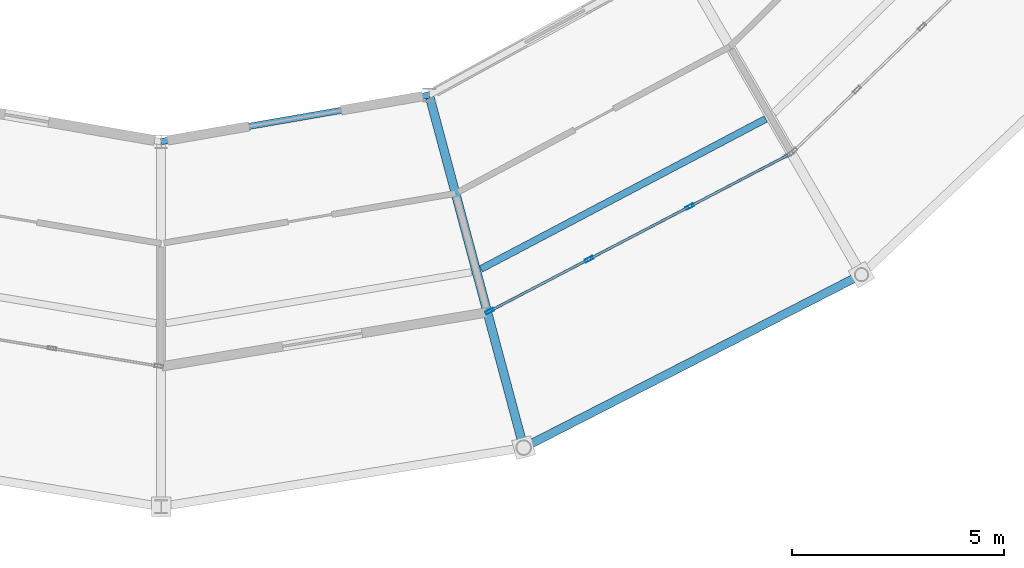
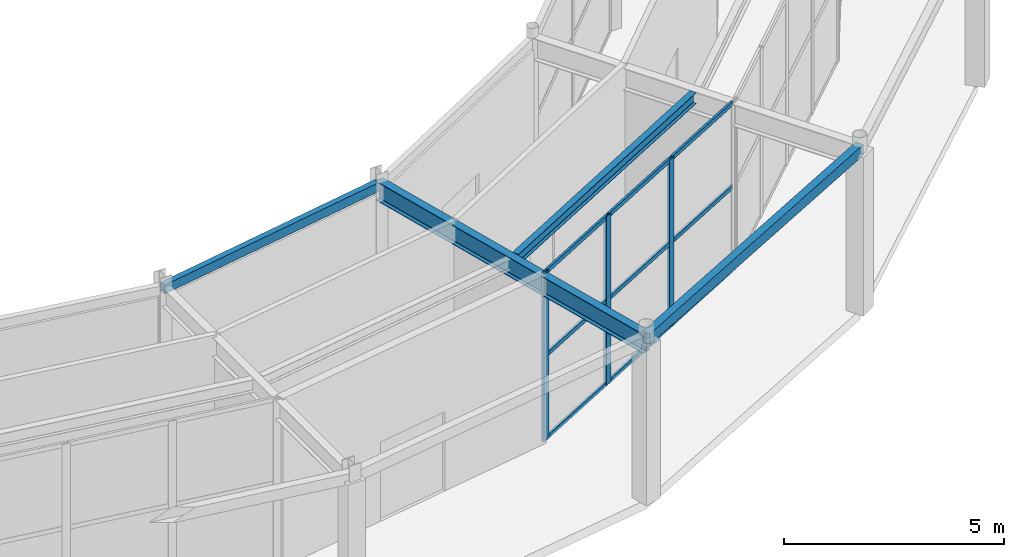
# One storey, part 51 of 144: 12 members, 4 beams, 1 element without a shape of its own.
"""IFC4 building model written with IfcOpenShell, lengths in metres."""

from ifc_helpers import new_model, si_unit, direction, frame, origin, origin_2d, place, context, subcontext, project, spatial, hollow_rectangle, i_section, extrude, material, material_profile, profile_set, type_object, element, aggregate, save


model = new_model("IFC4")

# Units and contexts
model_context = context("Model", 3, precision=1e-05, world=origin(), true_north=direction((0.0, 1.0)))
body_context = subcontext(model_context, "Body", "Model", "MODEL_VIEW")
ifc_project = project(units=[si_unit("LENGTHUNIT", "METRE"), si_unit("AREAUNIT", "SQUARE_METRE"), si_unit("VOLUMEUNIT", "CUBIC_METRE"), si_unit("PLANEANGLEUNIT", "RADIAN"), si_unit("MASSUNIT", "GRAM", prefix="KILO")], contexts=[model_context])

# Site, building, storey
site_placement = place(None, origin())
site = spatial("IfcSite", under=ifc_project, at=site_placement, CompositionType="ELEMENT")
building_placement = place(site_placement, origin())
building = spatial("IfcBuilding", under=site, at=building_placement, Name="Karori Crest Natural Sciences Institute", CompositionType="ELEMENT")
storey_placement = place(building_placement, origin())
storey = spatial("IfcBuildingStorey", under=building, at=storey_placement, Name="L00", CompositionType="ELEMENT", Elevation=0.0)

# Beams
ifc_material_1 = material(Name="Structural steel AS/NZS 3679.1 Grade 350", Category="steel")
ifc_material_profile_1 = material_profile(ifc_material_1, i_section(OverallWidth=0.208984375, OverallDepth=0.532958984375, WebThickness=0.01025390625, FlangeThickness=0.015625, FilletRadius=0.013916015625, at=origin_2d()), Name="530UB92.4")
ifc_profile_set_1 = profile_set([ifc_material_profile_1], Name="Structural steel AS/NZS 3679.1 Grade 350")
beam_type_1 = type_object("IfcBeamType", Name="BT-05", PredefinedType="BEAM", material=ifc_profile_set_1)
beam_1_placement = place(storey_placement, frame((72.715087890625, 18.797119140625, 4.37353515625), z_axis=(0.258819806009, -0.965925622404, 0.0), x_axis=(0.965925622404, 0.258819806009, 0.0)))
element("IfcBeam", 1, at=beam_1_placement, inside=storey, type_object=beam_type_1, Name="Beam B-0164", PredefinedType="BEAM", context=body_context, shape_type="SweptSolid", body=[
    extrude(i_section(OverallWidth=0.208984375, OverallDepth=0.532958984375, WebThickness=0.01025390625, FlangeThickness=0.015625, FilletRadius=0.013916015625, at=origin_2d()), origin(), (0.0, 0.0, 1.0), 8.599853515625),
])
ifc_material_profile_2 = material_profile(ifc_material_1, i_section(OverallWidth=0.166015625, OverallDepth=0.306884765625, WebThickness=0.006591796875, FlangeThickness=0.01171875, FilletRadius=0.010986328125, at=origin_2d()), Name="310UB46.2")
ifc_profile_set_2 = profile_set([ifc_material_profile_2], Name="Structural steel AS/NZS 3679.1 Grade 350")
beam_type_2 = type_object("IfcBeamType", Name="BT-09", PredefinedType="BEAM", material=ifc_profile_set_2)
beam_2_placement = place(storey_placement, frame((73.934326171875, 14.69970703125, 4.486572265625), z_axis=(0.884748465601, 0.466068828197, 0.0), x_axis=(-0.466068828197, 0.884748465601, 0.0)))
element("IfcBeam", 2, at=beam_2_placement, inside=storey, type_object=beam_type_2, Name="Beam B-0165", PredefinedType="BEAM", context=body_context, shape_type="SweptSolid", body=[
    extrude(i_section(OverallWidth=0.166015625, OverallDepth=0.306884765625, WebThickness=0.006591796875, FlangeThickness=0.01171875, FilletRadius=0.010986328125, at=origin_2d()), origin(), (0.0, 0.0, 1.0), 7.58349609375),
])
ifc_material_2 = material(Name="Hollow structural steel AS/NZS 1163 Grade C350", Category="steel")
ifc_material_profile_3 = material_profile(ifc_material_2, hollow_rectangle(XDim=0.199951171875, YDim=0.300048828125, WallThickness=0.010009765625, at=origin_2d()), Name="RHS300x200x10")
ifc_profile_set_3 = profile_set([ifc_material_profile_3], Name="Hollow structural steel AS/NZS 1163 Grade C350")
beam_type_3 = type_object("IfcBeamType", Name="BT-15", PredefinedType="SPANDREL", material=ifc_profile_set_3)
beam_3_placement = place(storey_placement, frame((74.94091796875, 10.490234375, 4.489990234375), z_axis=(0.890071733872, 0.455820478436, 0.0), x_axis=(-0.455820478436, 0.890071733872, 0.0)))
element("IfcBeam", 3, at=beam_3_placement, inside=storey, type_object=beam_type_3, Name="Beam B-0162", PredefinedType="SPANDREL", context=body_context, shape_type="SweptSolid", body=[
    extrude(hollow_rectangle(XDim=0.199951171875, YDim=0.300048828125, WallThickness=0.010009765625, at=origin_2d()), origin(), (0.0, 0.0, 1.0), 8.94189453125),
])
ifc_material_profile_4 = material_profile(ifc_material_2, hollow_rectangle(XDim=0.14990234375, YDim=0.25, WallThickness=0.009033203125, at=origin_2d()), Name="RHS250x150x9")
ifc_profile_set_4 = profile_set([ifc_material_profile_4], Name="Hollow structural steel AS/NZS 1163 Grade C350")
beam_type_4 = type_object("IfcBeamType", Name="BT-16", PredefinedType="SPANDREL", material=ifc_profile_set_4)
beam_4_placement = place(storey_placement, frame((66.39990234375, 17.699951171875, 4.489990234375), z_axis=(0.985241372425, 0.17117078624, 0.0), x_axis=(-0.17117078624, 0.985241372425, 0.0)))
element("IfcBeam", 4, at=beam_4_placement, inside=storey, type_object=beam_type_4, Name="Beam B-0159", PredefinedType="SPANDREL", context=body_context, shape_type="SweptSolid", body=[
    extrude(hollow_rectangle(XDim=0.14990234375, YDim=0.25, WallThickness=0.009033203125, at=origin_2d()), origin(), (0.0, 0.0, 1.0), 6.40966796875),
])

# Curtain wall, members
ifc_material_3 = material(Name="Anodised architectural aluminium 6063-T6", Category="aluminium")
curtain_wall_type = type_object("IfcCurtainWallType", Name="CWT-10", PredefinedType="NOTDEFINED", material=ifc_material_3)
curtain_wall_placement = place(storey_placement, origin())
curtain_wall = element("IfcCurtainWall", 5, at=curtain_wall_placement, inside=storey, type_object=curtain_wall_type, Name="Curtain wall CW-0024", PredefinedType="NOTDEFINED")
ifc_material_profile_5 = material_profile(ifc_material_3, hollow_rectangle(XDim=0.074951171875, YDim=0.199951171875, WallThickness=0.0048828125, at=origin_2d()), Name="CWM200x75x5")
ifc_profile_set_5 = profile_set([ifc_material_profile_5], Name="Anodised architectural aluminium 6063-T6")
member_type_1 = type_object("IfcMemberType", Name="CWM-02", PredefinedType="MULLION", material=ifc_profile_set_5)
member_1_placement = place(storey_placement, frame((78.8564453125, 16.172119140625, 0.0), z_axis=(0.0, 0.0, 1.0), x_axis=(0.46342574094, -0.88613575858, 0.0)))
member_1 = element("IfcMember", 6, at=member_1_placement, type_object=member_type_1, Name="CW-0024 mullion 2", PredefinedType="MULLION", context=body_context, shape_type="SweptSolid", body=[
    extrude(hollow_rectangle(XDim=0.074951171875, YDim=0.199951171875, WallThickness=0.0048828125, at=origin_2d()), origin(), (0.0, 0.0, 1.0), 4.679931640625),
])
member_2_placement = place(storey_placement, frame((76.48046875, 14.9296875, 0.0), z_axis=(0.0, 0.0, 1.0), x_axis=(0.46342574094, -0.88613575858, 0.0)))
member_2 = element("IfcMember", 7, at=member_2_placement, type_object=member_type_1, Name="CW-0024 mullion 3", PredefinedType="MULLION", context=body_context, shape_type="SweptSolid", body=[
    extrude(hollow_rectangle(XDim=0.074951171875, YDim=0.199951171875, WallThickness=0.0048828125, at=origin_2d()), origin(), (0.0, 0.0, 1.0), 4.679931640625),
])
member_3_placement = place(storey_placement, frame((74.137939453125, 13.70458984375, 0.0), z_axis=(0.0, 0.0, 1.0), x_axis=(0.46342574094, -0.88613575858, 0.0)))
member_3 = element("IfcMember", 8, at=member_3_placement, type_object=member_type_1, Name="CW-0024 mullion 4", PredefinedType="MULLION", context=body_context, shape_type="SweptSolid", body=[
    extrude(hollow_rectangle(XDim=0.074951171875, YDim=0.199951171875, WallThickness=0.0048828125, at=origin_2d()), origin(), (0.0, 0.0, 1.0), 4.679931640625),
])
ifc_material_profile_6 = material_profile(ifc_material_3, hollow_rectangle(XDim=0.06005859375, YDim=0.1201171875, WallThickness=0.00390625, at=origin_2d()), Name="CWT120x60x4")
ifc_profile_set_6 = profile_set([ifc_material_profile_6], Name="Anodised architectural aluminium 6063-T6")
member_type_2 = type_object("IfcMemberType", Name="CWT-TR1", PredefinedType="USERDEFINED", material=ifc_profile_set_6)
member_4_placement = place(storey_placement, frame((81.165771484375, 17.3798828125, 0.030029296875), z_axis=(-0.886123434904, -0.463449304794, 0.0), x_axis=(0.463449304794, -0.886123434904, 0.0)))
member_4 = element("IfcMember", 9, at=member_4_placement, type_object=member_type_2, Name="CW-0024 transom 1.1", ObjectType="TRANSOM", PredefinedType="USERDEFINED", context=body_context, shape_type="SweptSolid", body=[
    extrude(hollow_rectangle(XDim=0.06005859375, YDim=0.1201171875, WallThickness=0.00390625, at=origin_2d()), origin(), (0.0, 0.0, 1.0), 2.568603515625),
])
member_5_placement = place(storey_placement, frame((81.165771484375, 17.3798828125, 2.340087890625), z_axis=(-0.886123434904, -0.463449304794, 0.0), x_axis=(0.463449304794, -0.886123434904, 0.0)))
member_5 = element("IfcMember", 10, at=member_5_placement, type_object=member_type_2, Name="CW-0024 transom 1.2", ObjectType="TRANSOM", PredefinedType="USERDEFINED", context=body_context, shape_type="SweptSolid", body=[
    extrude(hollow_rectangle(XDim=0.06005859375, YDim=0.1201171875, WallThickness=0.00390625, at=origin_2d()), origin(), (0.0, 0.0, 1.0), 2.568603515625),
])
member_6_placement = place(storey_placement, frame((81.165771484375, 17.3798828125, 4.64990234375), z_axis=(-0.886123434904, -0.463449304794, 0.0), x_axis=(0.463449304794, -0.886123434904, 0.0)))
member_6 = element("IfcMember", 11, at=member_6_placement, type_object=member_type_2, Name="CW-0024 transom 1.3", ObjectType="TRANSOM", PredefinedType="USERDEFINED", context=body_context, shape_type="SweptSolid", body=[
    extrude(hollow_rectangle(XDim=0.06005859375, YDim=0.1201171875, WallThickness=0.00390625, at=origin_2d()), origin(), (0.0, 0.0, 1.0), 2.568603515625),
])
member_7_placement = place(storey_placement, frame((78.8232421875, 16.15478515625, 0.030029296875), z_axis=(-0.886148517115, -0.463401343993, 0.0), x_axis=(0.463401343993, -0.886148517115, 0.0)))
member_7 = element("IfcMember", 12, at=member_7_placement, type_object=member_type_2, Name="CW-0024 transom 2.1", ObjectType="TRANSOM", PredefinedType="USERDEFINED", context=body_context, shape_type="SweptSolid", body=[
    extrude(hollow_rectangle(XDim=0.06005859375, YDim=0.1201171875, WallThickness=0.00390625, at=origin_2d()), origin(), (0.0, 0.0, 1.0), 2.606201171875),
])
member_8_placement = place(storey_placement, frame((78.8232421875, 16.15478515625, 2.340087890625), z_axis=(-0.886148517115, -0.463401343993, 0.0), x_axis=(0.463401343993, -0.886148517115, 0.0)))
member_8 = element("IfcMember", 13, at=member_8_placement, type_object=member_type_2, Name="CW-0024 transom 2.2", ObjectType="TRANSOM", PredefinedType="USERDEFINED", context=body_context, shape_type="SweptSolid", body=[
    extrude(hollow_rectangle(XDim=0.06005859375, YDim=0.1201171875, WallThickness=0.00390625, at=origin_2d()), origin(), (0.0, 0.0, 1.0), 2.606201171875),
])
member_9_placement = place(storey_placement, frame((78.8232421875, 16.15478515625, 4.64990234375), z_axis=(-0.886148517115, -0.463401343993, 0.0), x_axis=(0.463401343993, -0.886148517115, 0.0)))
member_9 = element("IfcMember", 14, at=member_9_placement, type_object=member_type_2, Name="CW-0024 transom 2.3", ObjectType="TRANSOM", PredefinedType="USERDEFINED", context=body_context, shape_type="SweptSolid", body=[
    extrude(hollow_rectangle(XDim=0.06005859375, YDim=0.1201171875, WallThickness=0.00390625, at=origin_2d()), origin(), (0.0, 0.0, 1.0), 2.606201171875),
])
member_10_placement = place(storey_placement, frame((76.447265625, 14.912353515625, 0.030029296875), z_axis=(-0.886123434904, -0.463449304794, 0.0), x_axis=(0.463449304794, -0.886123434904, 0.0)))
member_10 = element("IfcMember", 15, at=member_10_placement, type_object=member_type_2, Name="CW-0024 transom 3.1", ObjectType="TRANSOM", PredefinedType="USERDEFINED", context=body_context, shape_type="SweptSolid", body=[
    extrude(hollow_rectangle(XDim=0.06005859375, YDim=0.1201171875, WallThickness=0.00390625, at=origin_2d()), origin(), (0.0, 0.0, 1.0), 2.568603515625),
])
member_11_placement = place(storey_placement, frame((76.447265625, 14.912353515625, 2.340087890625), z_axis=(-0.886123434904, -0.463449304794, 0.0), x_axis=(0.463449304794, -0.886123434904, 0.0)))
member_11 = element("IfcMember", 16, at=member_11_placement, type_object=member_type_2, Name="CW-0024 transom 3.2", ObjectType="TRANSOM", PredefinedType="USERDEFINED", context=body_context, shape_type="SweptSolid", body=[
    extrude(hollow_rectangle(XDim=0.06005859375, YDim=0.1201171875, WallThickness=0.00390625, at=origin_2d()), origin(), (0.0, 0.0, 1.0), 2.568603515625),
])
member_12_placement = place(storey_placement, frame((76.447265625, 14.912353515625, 4.64990234375), z_axis=(-0.886123434904, -0.463449304794, 0.0), x_axis=(0.463449304794, -0.886123434904, 0.0)))
member_12 = element("IfcMember", 17, at=member_12_placement, type_object=member_type_2, Name="CW-0024 transom 3.3", ObjectType="TRANSOM", PredefinedType="USERDEFINED", context=body_context, shape_type="SweptSolid", body=[
    extrude(hollow_rectangle(XDim=0.06005859375, YDim=0.1201171875, WallThickness=0.00390625, at=origin_2d()), origin(), (0.0, 0.0, 1.0), 2.568603515625),
])
aggregate(curtain_wall, [member_1, member_2, member_3, member_4, member_5, member_6, member_7, member_8, member_9, member_10, member_11, member_12])

save(model, "model.ifc")
